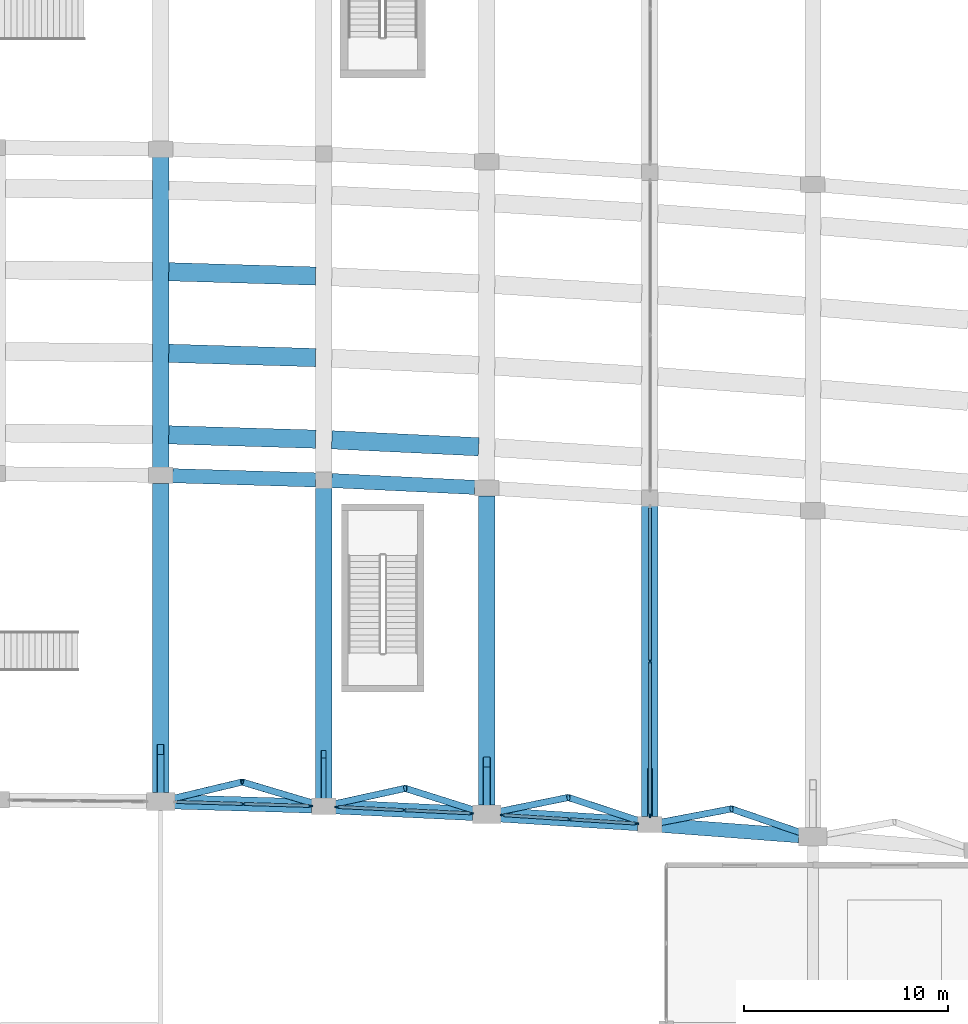
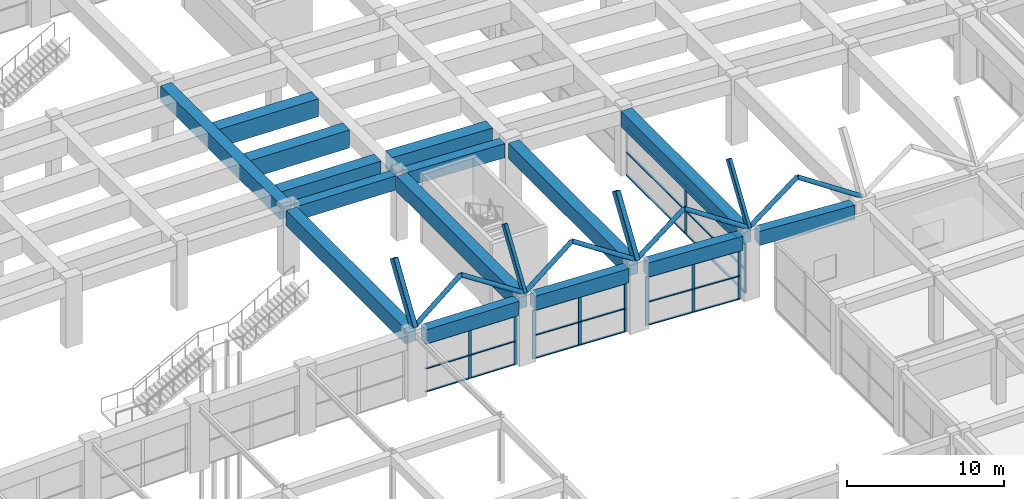
# One storey, part 27 of 69: 42 members, 19 beams, 4 elements without a shape of their own.
"""IFC4 building model written with IfcOpenShell, lengths in metres."""

from ifc_helpers import new_model, si_unit, direction, frame, origin, origin_2d, place, context, subcontext, project, spatial, rectangle, hollow_rectangle, hollow_circle, extrude, material, material_profile, profile_set, type_object, element, aggregate, save


model = new_model("IFC4")

# Units and contexts
model_context = context("Model", 3, precision=1e-05, world=origin(), true_north=direction((0.0, 1.0)))
body_context = subcontext(model_context, "Body", "Model", "MODEL_VIEW")
ifc_project = project(units=[si_unit("LENGTHUNIT", "METRE"), si_unit("AREAUNIT", "SQUARE_METRE"), si_unit("VOLUMEUNIT", "CUBIC_METRE"), si_unit("PLANEANGLEUNIT", "RADIAN"), si_unit("MASSUNIT", "GRAM", prefix="KILO")], contexts=[model_context])

# Site, building, storey
site_placement = place(None, origin())
site = spatial("IfcSite", under=ifc_project, at=site_placement, CompositionType="ELEMENT")
building_placement = place(site_placement, origin())
building = spatial("IfcBuilding", under=site, at=building_placement, Name="Kenh Van Central Station", CompositionType="ELEMENT")
storey_placement = place(building_placement, frame((0.0, 0.0, 5.39990234375)))
storey = spatial("IfcBuildingStorey", under=building, at=storey_placement, Name="L01", CompositionType="ELEMENT", Elevation=5.39990234375)

# Beams
ifc_material_1 = material(Name="Concrete C40/50", Category="concrete")
ifc_material_profile_1 = material_profile(ifc_material_1, rectangle(XDim=0.699951171875, YDim=1.10009765625, at=origin_2d()), Name="RC 700x1100")
ifc_profile_set_1 = profile_set([ifc_material_profile_1], Name="Concrete C40/50")
beam_type_1 = type_object("IfcBeamType", Name="BM-RC-700x1100", PredefinedType="BEAM", material=ifc_profile_set_1)
beam_1_placement = place(storey_placement, frame((96.689697265625, 67.099365234375, 4.530029296875), z_axis=(0.999563065499, -0.029558046112, 0.0), x_axis=(0.029558046112, 0.999563065499, 0.0)))
element("IfcBeam", 1, at=beam_1_placement, inside=storey, type_object=beam_type_1, Name="L01 viaduct girder 1389", PredefinedType="BEAM", context=body_context, shape_type="SweptSolid", body=[
    extrude(rectangle(XDim=0.699951171875, YDim=1.10009765625, at=origin_2d()), origin(), (0.0, 0.0, 1.0), 6.723388671875),
])
beam_2_placement = place(storey_placement, frame((104.58935546875, 66.85498046875, 4.530029296875), z_axis=(0.998866413286, -0.047601348815, 0.0), x_axis=(0.047601348815, 0.998866413286, 0.0)))
element("IfcBeam", 2, at=beam_2_placement, inside=storey, type_object=beam_type_1, Name="L01 viaduct girder 1390", PredefinedType="BEAM", context=body_context, shape_type="SweptSolid", body=[
    extrude(rectangle(XDim=0.699951171875, YDim=1.10009765625, at=origin_2d()), origin(), (0.0, 0.0, 1.0), 6.72900390625),
])
beam_3_placement = place(storey_placement, frame((112.688720703125, 66.458251953125, 4.530029296875), z_axis=(0.99800019098, -0.06321090732, 0.0), x_axis=(0.06321090732, 0.99800019098, 0.0)))
element("IfcBeam", 3, at=beam_3_placement, inside=storey, type_object=beam_type_1, Name="L01 viaduct girder 1391", PredefinedType="BEAM", context=body_context, shape_type="SweptSolid", body=[
    extrude(rectangle(XDim=0.699951171875, YDim=1.10009765625, at=origin_2d()), origin(), (0.0, 0.0, 1.0), 6.73583984375),
])
beam_4_placement = place(storey_placement, frame((120.58837890625, 65.95068359375, 4.530029296875), z_axis=(0.997135493389, -0.075636021993, 0.0), x_axis=(0.075636021993, 0.997135493389, 0.0)))
element("IfcBeam", 4, at=beam_4_placement, inside=storey, type_object=beam_type_1, Name="L01 viaduct girder 1392", PredefinedType="BEAM", context=body_context, shape_type="SweptSolid", body=[
    extrude(rectangle(XDim=0.699951171875, YDim=1.10009765625, at=origin_2d()), origin(), (0.0, 0.0, 1.0), 6.742919921875),
])
beam_5_placement = place(storey_placement, frame((96.58984375, 83.102294921875, 4.530029296875), z_axis=(0.999562359797, -0.029581901172, 0.0), x_axis=(0.029581901172, 0.999562359797, 0.0)))
element("IfcBeam", 5, at=beam_5_placement, inside=storey, type_object=beam_type_1, Name="L01 viaduct girder 1402", PredefinedType="BEAM", context=body_context, shape_type="SweptSolid", body=[
    extrude(rectangle(XDim=0.699951171875, YDim=1.10009765625, at=origin_2d()), origin(), (0.0, 0.0, 1.0), 7.0234375),
])
beam_6_placement = place(storey_placement, frame((104.3896484375, 82.864501953125, 4.530029296875), z_axis=(0.998867194536, -0.04758495224, 0.0), x_axis=(0.04758495224, 0.998867194536, 0.0)))
element("IfcBeam", 6, at=beam_6_placement, inside=storey, type_object=beam_type_1, Name="L01 viaduct girder 1403", PredefinedType="BEAM", context=body_context, shape_type="SweptSolid", body=[
    extrude(rectangle(XDim=0.699951171875, YDim=1.10009765625, at=origin_2d()), origin(), (0.0, 0.0, 1.0), 7.029052734375),
])
ifc_material_profile_2 = material_profile(ifc_material_1, rectangle(XDim=0.800048828125, YDim=1.199951171875, at=origin_2d()), Name="RC 800x1200")
ifc_profile_set_2 = profile_set([ifc_material_profile_2], Name="Concrete C40/50")
beam_type_2 = type_object("IfcBeamType", Name="BM-TRK-800x1200", PredefinedType="BEAM", material=ifc_profile_set_2)
beam_7_placement = place(storey_placement, frame((96.0, 67.559814453125, 4.47998046875), z_axis=(0.0, 1.0, 0.0), x_axis=(-1.0, 0.0, 0.0)))
element("IfcBeam", 7, at=beam_7_placement, inside=storey, type_object=beam_type_2, Name="L01 viaduct cross-girder 1454", PredefinedType="BEAM", context=body_context, shape_type="SweptSolid", body=[
    extrude(rectangle(XDim=0.800048828125, YDim=1.199951171875, at=origin_2d()), origin(), (0.0, 0.0, 1.0), 15.169921875),
])
for number, where, z_axis, x_axis, name in (
    (8, (96.0, 83.509765625, 4.47998046875), (0.0, 1.0, 0.0), (-1.0, 0.0, 0.0), "L01 viaduct cross-girder 1455"),
    (9, (104.0, 67.273193359375, 4.47998046875), (0.0, 1.0, 0.0), (-1.0, 0.0, 0.0), "L01 viaduct cross-girder 1457"),
):
    element("IfcBeam", number, at=place(storey_placement, frame(where, z_axis=z_axis, x_axis=x_axis)), inside=storey, type_object=beam_type_2, Name=name, PredefinedType="BEAM", context=body_context, shape_type="SweptSolid", body=[
        extrude(rectangle(XDim=0.800048828125, YDim=1.199951171875, at=origin_2d()), origin(), (0.0, 0.0, 1.0), 15.219970703125),
    ])
beam_8_placement = place(storey_placement, frame((112.0, 66.94189453125, 4.47998046875), z_axis=(0.0, 1.0, 0.0), x_axis=(-1.0, 0.0, 0.0)))
element("IfcBeam", 10, at=beam_8_placement, inside=storey, type_object=beam_type_2, Name="L01 viaduct cross-girder 1460", PredefinedType="BEAM", context=body_context, shape_type="SweptSolid", body=[
    extrude(rectangle(XDim=0.800048828125, YDim=1.199951171875, at=origin_2d()), origin(), (0.0, 0.0, 1.0), 15.169921875),
])
beam_9_placement = place(storey_placement, frame((120.0, 66.38525390625, 4.47998046875), z_axis=(0.0, 1.0, 0.0), x_axis=(-1.0, 0.0, 0.0)))
element("IfcBeam", 11, at=beam_9_placement, inside=storey, type_object=beam_type_2, Name="L01 viaduct cross-girder 1463", PredefinedType="BEAM", context=body_context, shape_type="SweptSolid", body=[
    extrude(rectangle(XDim=0.800048828125, YDim=1.199951171875, at=origin_2d()), origin(), (0.0, 0.0, 1.0), 15.219970703125),
])
ifc_material_profile_3 = material_profile(ifc_material_1, rectangle(XDim=0.89990234375, YDim=1.39990234375, at=origin_2d()), Name="RC 900x1400")
ifc_profile_set_3 = profile_set([ifc_material_profile_3], Name="Concrete C40/50")
beam_type_3 = type_object("IfcBeamType", Name="BM-TRK-900x1400", PredefinedType="BEAM", material=ifc_profile_set_3)
beam_10_placement = place(storey_placement, frame((96.39990234375, 85.10791015625, 4.380126953125), z_axis=(0.999563172588, -0.029554424471, 0.0), x_axis=(0.029554424471, 0.999563172588, 0.0)))
element("IfcBeam", 12, at=beam_10_placement, inside=storey, type_object=beam_type_3, Name="Track 1 trough girder 1483", PredefinedType="BEAM", context=body_context, shape_type="SweptSolid", body=[
    extrude(rectangle(XDim=0.89990234375, YDim=1.39990234375, at=origin_2d()), origin(), (0.0, 0.0, 1.0), 7.203369140625),
])
beam_11_placement = place(storey_placement, frame((104.399658203125, 84.864013671875, 4.380126953125), z_axis=(0.998867294729, -0.047582849023, 0.0), x_axis=(0.047582849023, 0.998867294729, 0.0)))
element("IfcBeam", 13, at=beam_11_placement, inside=storey, type_object=beam_type_3, Name="Track 1 trough girder 1484", PredefinedType="BEAM", context=body_context, shape_type="SweptSolid", body=[
    extrude(rectangle(XDim=0.89990234375, YDim=1.39990234375, at=origin_2d()), origin(), (0.0, 0.0, 1.0), 7.208740234375),
])
for number, where, z_axis, x_axis, name in (
    (14, (96.39990234375, 89.10791015625, 4.380126953125), (0.999563172588, -0.029554424471, 0.0), (0.029554424471, 0.999563172588, 0.0), "Track 2 trough girder 1497"),
    (15, (96.39990234375, 93.10791015625, 4.380126953125), (0.999563172588, -0.029554424471, 0.0), (0.029554424471, 0.999563172588, 0.0), "Track 3 trough girder 1511"),
):
    element("IfcBeam", number, at=place(storey_placement, frame(where, z_axis=z_axis, x_axis=x_axis)), inside=storey, type_object=beam_type_3, Name=name, PredefinedType="BEAM", context=body_context, shape_type="SweptSolid", body=[
        extrude(rectangle(XDim=0.89990234375, YDim=1.39990234375, at=origin_2d()), origin(), (0.0, 0.0, 1.0), 7.203369140625),
    ])
ifc_material_2 = material(Name="White fluoropolymer structural steel S355", Category="steel")
ifc_material_profile_4 = material_profile(ifc_material_2, hollow_rectangle(XDim=0.35009765625, YDim=0.60009765625, WallThickness=0.01611328125, InnerFilletRadius=0.01611328125, OuterFilletRadius=0.031982421875, at=origin_2d()), Name="RHS 600x350x16")
ifc_profile_set_4 = profile_set([ifc_material_profile_4], Name="White fluoropolymer structural steel S355")
beam_type_4 = type_object("IfcBeamType", Name="BM-VAULT-ARCH600", PredefinedType="BEAM", material=ifc_profile_set_4)
for number, where, z_axis, x_axis, name in (
    (16, (96.0, 67.119873046875, 5.280029296875), (0.0, 0.5493771127, 0.835574525725), (-1.0, 0.0, 0.0), "Vault transverse arch 094"),
    (17, (112.0, 66.501953125, 5.280029296875), (0.0, 0.5493771127, 0.835574525725), (-1.0, 0.0, 0.0), "Vault transverse arch 118"),
):
    element("IfcBeam", number, at=place(storey_placement, frame(where, z_axis=z_axis, x_axis=x_axis)), inside=storey, type_object=beam_type_4, Name=name, PredefinedType="BEAM", context=body_context, shape_type="SweptSolid", body=[
        extrude(hollow_rectangle(XDim=0.35009765625, YDim=0.60009765625, WallThickness=0.01611328125, InnerFilletRadius=0.01611328125, OuterFilletRadius=0.031982421875, at=origin_2d()), origin(), (0.0, 0.0, 1.0), 4.645751953125),
    ])
ifc_material_profile_5 = material_profile(ifc_material_2, hollow_rectangle(XDim=0.25, YDim=0.449951171875, WallThickness=0.012451171875, InnerFilletRadius=0.012451171875, OuterFilletRadius=0.02490234375, at=origin_2d()), Name="RHS 450x250x12.5")
ifc_profile_set_5 = profile_set([ifc_material_profile_5], Name="White fluoropolymer structural steel S355")
beam_type_5 = type_object("IfcBeamType", Name="BM-VAULT-SUB450", PredefinedType="BEAM", material=ifc_profile_set_5)
for number, where, z_axis, x_axis, name in (
    (18, (104.0, 66.883056640625, 5.280029296875), (0.0, 0.549413802018, 0.835550401922), (-1.0, 0.0, 0.0), "Vault transverse arch 106"),
    (19, (120.0, 65.9951171875, 5.280029296875), (0.0, 0.549413802018, 0.835550401922), (-1.0, 0.0, 0.0), "Vault transverse arch 130"),
):
    element("IfcBeam", number, at=place(storey_placement, frame(where, z_axis=z_axis, x_axis=x_axis)), inside=storey, type_object=beam_type_5, Name=name, PredefinedType="BEAM", context=body_context, shape_type="SweptSolid", body=[
        extrude(hollow_rectangle(XDim=0.25, YDim=0.449951171875, WallThickness=0.012451171875, InnerFilletRadius=0.012451171875, OuterFilletRadius=0.02490234375, at=origin_2d()), origin(), (0.0, 0.0, 1.0), 4.645751953125),
    ])

# Curtain wall, members
ifc_material_3 = material(Name="Champagne anodised aluminium", Category="aluminium")
curtain_wall_type_1 = type_object("IfcCurtainWallType", Name="CW-HALL-B", PredefinedType="NOTDEFINED", material=ifc_material_3)
curtain_wall_1_placement = place(storey_placement, origin())
curtain_wall_1 = element("IfcCurtainWall", 20, at=curtain_wall_1_placement, inside=storey, type_object=curtain_wall_type_1, Name="L01 curtain wall 100", PredefinedType="NOTDEFINED")
ifc_material_profile_6 = material_profile(ifc_material_3, rectangle(XDim=0.08203125, YDim=0.22509765625, at=origin_2d()), Name="AL 82x225")
ifc_profile_set_6 = profile_set([ifc_material_profile_6], Name="Champagne anodised aluminium")
member_type_1 = type_object("IfcMemberType", Name="CWM-70x180", PredefinedType="MULLION", material=ifc_profile_set_6)
member_1_placement = place(storey_placement, frame((120.0, 66.436279296875, 0.0), z_axis=(0.0, 0.0, 1.0), x_axis=(-1.0, 0.0, 0.0)))
member_1 = element("IfcMember", 21, at=member_1_placement, type_object=member_type_1, Name="CW-02 mullion 1", PredefinedType="MULLION", context=body_context, shape_type="SweptSolid", body=[
    extrude(rectangle(XDim=0.08203125, YDim=0.22509765625, at=origin_2d()), origin(), (0.0, 0.0, 1.0), 3.800048828125),
])
member_2_placement = place(storey_placement, frame((120.0, 73.9951171875, 0.0), z_axis=(0.0, 0.0, 1.0), x_axis=(-1.0, 0.0, 0.0)))
member_2 = element("IfcMember", 22, at=member_2_placement, type_object=member_type_1, Name="CW-02 mullion 2", PredefinedType="MULLION", context=body_context, shape_type="SweptSolid", body=[
    extrude(rectangle(XDim=0.08203125, YDim=0.22509765625, at=origin_2d()), origin(), (0.0, 0.0, 1.0), 3.800048828125),
])

curtain_wall_type_2 = type_object("IfcCurtainWallType", Name="CW-HALL-A", PredefinedType="NOTDEFINED", material=ifc_material_3)
curtain_wall_2_placement = place(storey_placement, origin())
curtain_wall_2 = element("IfcCurtainWall", 23, at=curtain_wall_2_placement, inside=storey, type_object=curtain_wall_type_2, Name="L01 curtain wall 091", PredefinedType="NOTDEFINED")
ifc_material_profile_7 = material_profile(ifc_material_3, rectangle(XDim=0.080078125, YDim=0.219970703125, at=origin_2d()), Name="AL 80x220")
ifc_profile_set_7 = profile_set([ifc_material_profile_7], Name="Champagne anodised aluminium")
member_type_2 = type_object("IfcMemberType", Name="CWM-80x220", PredefinedType="MULLION", material=ifc_profile_set_7)
member_3_placement = place(storey_placement, frame((100.05078125, 67.0, 0.0), z_axis=(0.0, 0.0, 1.0), x_axis=(0.029570645876, 0.999562692832, 0.0)))
member_3 = element("IfcMember", 24, at=member_3_placement, type_object=member_type_2, Name="CW-01 mullion 2", PredefinedType="MULLION", context=body_context, shape_type="SweptSolid", body=[
    extrude(rectangle(XDim=0.080078125, YDim=0.219970703125, at=origin_2d()), origin(), (0.0, 0.0, 1.0), 3.800048828125),
])
member_4_placement = place(storey_placement, frame((103.3486328125, 66.90234375, 0.0), z_axis=(0.0, 0.0, 1.0), x_axis=(0.029570645876, 0.999562692832, 0.0)))
member_4 = element("IfcMember", 25, at=member_4_placement, type_object=member_type_2, Name="CW-01 mullion 3", PredefinedType="MULLION", context=body_context, shape_type="SweptSolid", body=[
    extrude(rectangle(XDim=0.080078125, YDim=0.219970703125, at=origin_2d()), origin(), (0.0, 0.0, 1.0), 3.800048828125),
])

curtain_wall_3_placement = place(storey_placement, origin())
curtain_wall_3 = element("IfcCurtainWall", 26, at=curtain_wall_3_placement, inside=storey, type_object=curtain_wall_type_2, Name="L01 curtain wall 093", PredefinedType="NOTDEFINED")
member_5_placement = place(storey_placement, frame((104.65771484375, 66.851806640625, 0.0), z_axis=(0.0, 0.0, 1.0), x_axis=(0.047600764745, 0.99886644112, 0.0)))
member_5 = element("IfcMember", 27, at=member_5_placement, type_object=member_type_2, Name="CW-01 mullion 1", PredefinedType="MULLION", context=body_context, shape_type="SweptSolid", body=[
    extrude(rectangle(XDim=0.080078125, YDim=0.219970703125, at=origin_2d()), origin(), (0.0, 0.0, 1.0), 3.800048828125),
])
member_6_placement = place(storey_placement, frame((107.948974609375, 66.695068359375, 0.0), z_axis=(0.0, 0.0, 1.0), x_axis=(0.047600764745, 0.99886644112, 0.0)))
member_6 = element("IfcMember", 28, at=member_6_placement, type_object=member_type_2, Name="CW-01 mullion 2", PredefinedType="MULLION", context=body_context, shape_type="SweptSolid", body=[
    extrude(rectangle(XDim=0.080078125, YDim=0.219970703125, at=origin_2d()), origin(), (0.0, 0.0, 1.0), 3.800048828125),
])
member_7_placement = place(storey_placement, frame((111.240234375, 66.5380859375, 0.0), z_axis=(0.0, 0.0, 1.0), x_axis=(0.047600764745, 0.99886644112, 0.0)))
member_7 = element("IfcMember", 29, at=member_7_placement, type_object=member_type_2, Name="CW-01 mullion 3", PredefinedType="MULLION", context=body_context, shape_type="SweptSolid", body=[
    extrude(rectangle(XDim=0.080078125, YDim=0.219970703125, at=origin_2d()), origin(), (0.0, 0.0, 1.0), 3.800048828125),
])

curtain_wall_4_placement = place(storey_placement, origin())
curtain_wall_4 = element("IfcCurtainWall", 30, at=curtain_wall_4_placement, inside=storey, type_object=curtain_wall_type_2, Name="L01 curtain wall 095", PredefinedType="NOTDEFINED")
member_8_placement = place(storey_placement, frame((112.765625, 66.453369140625, 0.0), z_axis=(0.0, 0.0, 1.0), x_axis=(0.063211477724, 0.998000154852, 0.0)))
member_8 = element("IfcMember", 31, at=member_8_placement, type_object=member_type_2, Name="CW-01 mullion 1", PredefinedType="MULLION", context=body_context, shape_type="SweptSolid", body=[
    extrude(rectangle(XDim=0.080078125, YDim=0.219970703125, at=origin_2d()), origin(), (0.0, 0.0, 1.0), 3.800048828125),
])
member_9_placement = place(storey_placement, frame((116.051513671875, 66.245361328125, 0.0), z_axis=(0.0, 0.0, 1.0), x_axis=(0.063211477724, 0.998000154852, 0.0)))
member_9 = element("IfcMember", 32, at=member_9_placement, type_object=member_type_2, Name="CW-01 mullion 2", PredefinedType="MULLION", context=body_context, shape_type="SweptSolid", body=[
    extrude(rectangle(XDim=0.080078125, YDim=0.219970703125, at=origin_2d()), origin(), (0.0, 0.0, 1.0), 3.800048828125),
])
member_10_placement = place(storey_placement, frame((119.337158203125, 66.037109375, 0.0), z_axis=(0.0, 0.0, 1.0), x_axis=(0.063211477724, 0.998000154852, 0.0)))
member_10 = element("IfcMember", 33, at=member_10_placement, type_object=member_type_2, Name="CW-01 mullion 3", PredefinedType="MULLION", context=body_context, shape_type="SweptSolid", body=[
    extrude(rectangle(XDim=0.080078125, YDim=0.219970703125, at=origin_2d()), origin(), (0.0, 0.0, 1.0), 3.800048828125),
])

# Member
ifc_material_profile_8 = material_profile(ifc_material_3, rectangle(XDim=0.14990234375, YDim=0.070068359375, at=origin_2d()), Name="AL 150x70")
ifc_profile_set_8 = profile_set([ifc_material_profile_8], Name="Champagne anodised aluminium")
member_type_3 = type_object("IfcMemberType", Name="CWT-150x70", PredefinedType="USERDEFINED", material=ifc_profile_set_8)
member_11_placement = place(storey_placement, frame((96.792724609375, 67.096435546875, 0.03515625), z_axis=(0.999562561041, -0.029575100433, 0.0), x_axis=(0.029575100433, 0.999562561041, 0.0)))
member_11 = element("IfcMember", 34, at=member_11_placement, type_object=member_type_3, Name="CW-01 transom 1.1", ObjectType="TRANSOM", PredefinedType="USERDEFINED", context=body_context, shape_type="SweptSolid", body=[
    extrude(rectangle(XDim=0.14990234375, YDim=0.070068359375, at=origin_2d()), origin(), (0.0, 0.0, 1.0), 3.219482421875),
])

member_12_placement = place(storey_placement, frame((96.792724609375, 67.096435546875, 1.82421875), z_axis=(0.999562561041, -0.029575100433, 0.0), x_axis=(0.029575100433, 0.999562561041, 0.0)))
member_12 = element("IfcMember", 35, at=member_12_placement, type_object=member_type_3, Name="CW-01 transom 1.2", ObjectType="TRANSOM", PredefinedType="USERDEFINED", context=body_context, shape_type="SweptSolid", body=[
    extrude(rectangle(XDim=0.14990234375, YDim=0.070068359375, at=origin_2d()), origin(), (0.0, 0.0, 1.0), 3.219482421875),
])

member_13_placement = place(storey_placement, frame((96.792724609375, 67.096435546875, 3.76513671875), z_axis=(0.999562561041, -0.029575100433, 0.0), x_axis=(0.029575100433, 0.999562561041, 0.0)))
member_13 = element("IfcMember", 36, at=member_13_placement, type_object=member_type_3, Name="CW-01 transom 1.3", ObjectType="TRANSOM", PredefinedType="USERDEFINED", context=body_context, shape_type="SweptSolid", body=[
    extrude(rectangle(XDim=0.14990234375, YDim=0.070068359375, at=origin_2d()), origin(), (0.0, 0.0, 1.0), 3.219482421875),
])

member_14_placement = place(storey_placement, frame((100.090576171875, 66.998779296875, 0.03515625), z_axis=(0.999562627364, -0.029572858798, 0.0), x_axis=(0.029572858798, 0.999562627364, 0.0)))
member_14 = element("IfcMember", 37, at=member_14_placement, type_object=member_type_3, Name="CW-01 transom 2.1", ObjectType="TRANSOM", PredefinedType="USERDEFINED", context=body_context, shape_type="SweptSolid", body=[
    extrude(rectangle(XDim=0.14990234375, YDim=0.070068359375, at=origin_2d()), origin(), (0.0, 0.0, 1.0), 3.2197265625),
])

member_15_placement = place(storey_placement, frame((100.090576171875, 66.998779296875, 1.82421875), z_axis=(0.999562627364, -0.029572858798, 0.0), x_axis=(0.029572858798, 0.999562627364, 0.0)))
member_15 = element("IfcMember", 38, at=member_15_placement, type_object=member_type_3, Name="CW-01 transom 2.2", ObjectType="TRANSOM", PredefinedType="USERDEFINED", context=body_context, shape_type="SweptSolid", body=[
    extrude(rectangle(XDim=0.14990234375, YDim=0.070068359375, at=origin_2d()), origin(), (0.0, 0.0, 1.0), 3.2197265625),
])

member_16_placement = place(storey_placement, frame((100.090576171875, 66.998779296875, 3.76513671875), z_axis=(0.999562627364, -0.029572858798, 0.0), x_axis=(0.029572858798, 0.999562627364, 0.0)))
member_16 = element("IfcMember", 39, at=member_16_placement, type_object=member_type_3, Name="CW-01 transom 2.3", ObjectType="TRANSOM", PredefinedType="USERDEFINED", context=body_context, shape_type="SweptSolid", body=[
    extrude(rectangle(XDim=0.14990234375, YDim=0.070068359375, at=origin_2d()), origin(), (0.0, 0.0, 1.0), 3.2197265625),
])

aggregate(curtain_wall_2, [member_3, member_4, member_11, member_12, member_13, member_14, member_15, member_16])

member_17_placement = place(storey_placement, frame((104.697509765625, 66.849853515625, 0.03515625), z_axis=(0.998865903203, -0.047612051187, 0.0), x_axis=(0.047612051187, 0.998865903203, 0.0)))
member_17 = element("IfcMember", 40, at=member_17_placement, type_object=member_type_3, Name="CW-01 transom 1.1", ObjectType="TRANSOM", PredefinedType="USERDEFINED", context=body_context, shape_type="SweptSolid", body=[
    extrude(rectangle(XDim=0.14990234375, YDim=0.070068359375, at=origin_2d()), origin(), (0.0, 0.0, 1.0), 3.215087890625),
])

member_18_placement = place(storey_placement, frame((104.697509765625, 66.849853515625, 1.82421875), z_axis=(0.998865903203, -0.047612051187, 0.0), x_axis=(0.047612051187, 0.998865903203, 0.0)))
member_18 = element("IfcMember", 41, at=member_18_placement, type_object=member_type_3, Name="CW-01 transom 1.2", ObjectType="TRANSOM", PredefinedType="USERDEFINED", context=body_context, shape_type="SweptSolid", body=[
    extrude(rectangle(XDim=0.14990234375, YDim=0.070068359375, at=origin_2d()), origin(), (0.0, 0.0, 1.0), 3.215087890625),
])

member_19_placement = place(storey_placement, frame((104.697509765625, 66.849853515625, 3.76513671875), z_axis=(0.998865903203, -0.047612051187, 0.0), x_axis=(0.047612051187, 0.998865903203, 0.0)))
member_19 = element("IfcMember", 42, at=member_19_placement, type_object=member_type_3, Name="CW-01 transom 1.3", ObjectType="TRANSOM", PredefinedType="USERDEFINED", context=body_context, shape_type="SweptSolid", body=[
    extrude(rectangle(XDim=0.14990234375, YDim=0.070068359375, at=origin_2d()), origin(), (0.0, 0.0, 1.0), 3.215087890625),
])

member_20_placement = place(storey_placement, frame((107.989013671875, 66.693115234375, 0.03515625), z_axis=(0.998865731043, -0.047615662842, 0.0), x_axis=(0.047615662842, 0.998865731043, 0.0)))
member_20 = element("IfcMember", 43, at=member_20_placement, type_object=member_type_3, Name="CW-01 transom 2.1", ObjectType="TRANSOM", PredefinedType="USERDEFINED", context=body_context, shape_type="SweptSolid", body=[
    extrude(rectangle(XDim=0.14990234375, YDim=0.070068359375, at=origin_2d()), origin(), (0.0, 0.0, 1.0), 3.21484375),
])

member_21_placement = place(storey_placement, frame((107.989013671875, 66.693115234375, 1.82421875), z_axis=(0.998865731043, -0.047615662842, 0.0), x_axis=(0.047615662842, 0.998865731043, 0.0)))
member_21 = element("IfcMember", 44, at=member_21_placement, type_object=member_type_3, Name="CW-01 transom 2.2", ObjectType="TRANSOM", PredefinedType="USERDEFINED", context=body_context, shape_type="SweptSolid", body=[
    extrude(rectangle(XDim=0.14990234375, YDim=0.070068359375, at=origin_2d()), origin(), (0.0, 0.0, 1.0), 3.21484375),
])

member_22_placement = place(storey_placement, frame((107.989013671875, 66.693115234375, 3.76513671875), z_axis=(0.998865731043, -0.047615662842, 0.0), x_axis=(0.047615662842, 0.998865731043, 0.0)))
member_22 = element("IfcMember", 45, at=member_22_placement, type_object=member_type_3, Name="CW-01 transom 2.3", ObjectType="TRANSOM", PredefinedType="USERDEFINED", context=body_context, shape_type="SweptSolid", body=[
    extrude(rectangle(XDim=0.14990234375, YDim=0.070068359375, at=origin_2d()), origin(), (0.0, 0.0, 1.0), 3.21484375),
])

aggregate(curtain_wall_3, [member_5, member_6, member_7, member_17, member_18, member_19, member_20, member_21, member_22])

member_23_placement = place(storey_placement, frame((112.805419921875, 66.450927734375, 0.03515625), z_axis=(0.997998987314, -0.063229908426, 0.0), x_axis=(0.063229908426, 0.997998987314, 0.0)))
member_23 = element("IfcMember", 46, at=member_23_placement, type_object=member_type_3, Name="CW-01 transom 1.1", ObjectType="TRANSOM", PredefinedType="USERDEFINED", context=body_context, shape_type="SweptSolid", body=[
    extrude(rectangle(XDim=0.14990234375, YDim=0.070068359375, at=origin_2d()), origin(), (0.0, 0.0, 1.0), 3.21240234375),
])

member_24_placement = place(storey_placement, frame((112.805419921875, 66.450927734375, 1.82421875), z_axis=(0.997998987314, -0.063229908426, 0.0), x_axis=(0.063229908426, 0.997998987314, 0.0)))
member_24 = element("IfcMember", 47, at=member_24_placement, type_object=member_type_3, Name="CW-01 transom 1.2", ObjectType="TRANSOM", PredefinedType="USERDEFINED", context=body_context, shape_type="SweptSolid", body=[
    extrude(rectangle(XDim=0.14990234375, YDim=0.070068359375, at=origin_2d()), origin(), (0.0, 0.0, 1.0), 3.21240234375),
])

member_25_placement = place(storey_placement, frame((112.805419921875, 66.450927734375, 3.76513671875), z_axis=(0.997998987314, -0.063229908426, 0.0), x_axis=(0.063229908426, 0.997998987314, 0.0)))
member_25 = element("IfcMember", 48, at=member_25_placement, type_object=member_type_3, Name="CW-01 transom 1.3", ObjectType="TRANSOM", PredefinedType="USERDEFINED", context=body_context, shape_type="SweptSolid", body=[
    extrude(rectangle(XDim=0.14990234375, YDim=0.070068359375, at=origin_2d()), origin(), (0.0, 0.0, 1.0), 3.21240234375),
])

member_26_placement = place(storey_placement, frame((116.09130859375, 66.24267578125, 0.03515625), z_axis=(0.997998987314, -0.063229908426, 0.0), x_axis=(0.063229908426, 0.997998987314, 0.0)))
member_26 = element("IfcMember", 49, at=member_26_placement, type_object=member_type_3, Name="CW-01 transom 2.1", ObjectType="TRANSOM", PredefinedType="USERDEFINED", context=body_context, shape_type="SweptSolid", body=[
    extrude(rectangle(XDim=0.14990234375, YDim=0.070068359375, at=origin_2d()), origin(), (0.0, 0.0, 1.0), 3.21240234375),
])

member_27_placement = place(storey_placement, frame((116.09130859375, 66.24267578125, 1.82421875), z_axis=(0.997998987314, -0.063229908426, 0.0), x_axis=(0.063229908426, 0.997998987314, 0.0)))
member_27 = element("IfcMember", 50, at=member_27_placement, type_object=member_type_3, Name="CW-01 transom 2.2", ObjectType="TRANSOM", PredefinedType="USERDEFINED", context=body_context, shape_type="SweptSolid", body=[
    extrude(rectangle(XDim=0.14990234375, YDim=0.070068359375, at=origin_2d()), origin(), (0.0, 0.0, 1.0), 3.21240234375),
])

member_28_placement = place(storey_placement, frame((116.09130859375, 66.24267578125, 3.76513671875), z_axis=(0.997998987314, -0.063229908426, 0.0), x_axis=(0.063229908426, 0.997998987314, 0.0)))
member_28 = element("IfcMember", 51, at=member_28_placement, type_object=member_type_3, Name="CW-01 transom 2.3", ObjectType="TRANSOM", PredefinedType="USERDEFINED", context=body_context, shape_type="SweptSolid", body=[
    extrude(rectangle(XDim=0.14990234375, YDim=0.070068359375, at=origin_2d()), origin(), (0.0, 0.0, 1.0), 3.21240234375),
])

aggregate(curtain_wall_4, [member_8, member_9, member_10, member_23, member_24, member_25, member_26, member_27, member_28])

member_29_placement = place(storey_placement, frame((120.0, 66.477294921875, 0.03515625), z_axis=(0.0, 1.0, 0.0), x_axis=(-1.0, 0.0, 0.0)))
member_29 = element("IfcMember", 52, at=member_29_placement, type_object=member_type_3, Name="CW-02 transom 1.1", ObjectType="TRANSOM", PredefinedType="USERDEFINED", context=body_context, shape_type="SweptSolid", body=[
    extrude(rectangle(XDim=0.14990234375, YDim=0.070068359375, at=origin_2d()), origin(), (0.0, 0.0, 1.0), 7.476806640625),
])

member_30_placement = place(storey_placement, frame((120.0, 66.477294921875, 1.82421875), z_axis=(0.0, 1.0, 0.0), x_axis=(-1.0, 0.0, 0.0)))
member_30 = element("IfcMember", 53, at=member_30_placement, type_object=member_type_3, Name="CW-02 transom 1.2", ObjectType="TRANSOM", PredefinedType="USERDEFINED", context=body_context, shape_type="SweptSolid", body=[
    extrude(rectangle(XDim=0.14990234375, YDim=0.070068359375, at=origin_2d()), origin(), (0.0, 0.0, 1.0), 7.476806640625),
])

member_31_placement = place(storey_placement, frame((120.0, 66.477294921875, 3.76513671875), z_axis=(0.0, 1.0, 0.0), x_axis=(-1.0, 0.0, 0.0)))
member_31 = element("IfcMember", 54, at=member_31_placement, type_object=member_type_3, Name="CW-02 transom 1.3", ObjectType="TRANSOM", PredefinedType="USERDEFINED", context=body_context, shape_type="SweptSolid", body=[
    extrude(rectangle(XDim=0.14990234375, YDim=0.070068359375, at=origin_2d()), origin(), (0.0, 0.0, 1.0), 7.476806640625),
])

member_32_placement = place(storey_placement, frame((120.0, 74.0361328125, 0.03515625), z_axis=(0.0, 1.0, 0.0), x_axis=(-1.0, 0.0, 0.0)))
member_32 = element("IfcMember", 55, at=member_32_placement, type_object=member_type_3, Name="CW-02 transom 2.1", ObjectType="TRANSOM", PredefinedType="USERDEFINED", context=body_context, shape_type="SweptSolid", body=[
    extrude(rectangle(XDim=0.14990234375, YDim=0.070068359375, at=origin_2d()), origin(), (0.0, 0.0, 1.0), 7.47705078125),
])

member_33_placement = place(storey_placement, frame((120.0, 74.0361328125, 1.82421875), z_axis=(0.0, 1.0, 0.0), x_axis=(-1.0, 0.0, 0.0)))
member_33 = element("IfcMember", 56, at=member_33_placement, type_object=member_type_3, Name="CW-02 transom 2.2", ObjectType="TRANSOM", PredefinedType="USERDEFINED", context=body_context, shape_type="SweptSolid", body=[
    extrude(rectangle(XDim=0.14990234375, YDim=0.070068359375, at=origin_2d()), origin(), (0.0, 0.0, 1.0), 7.47705078125),
])

member_34_placement = place(storey_placement, frame((120.0, 74.0361328125, 3.76513671875), z_axis=(0.0, 1.0, 0.0), x_axis=(-1.0, 0.0, 0.0)))
member_34 = element("IfcMember", 57, at=member_34_placement, type_object=member_type_3, Name="CW-02 transom 2.3", ObjectType="TRANSOM", PredefinedType="USERDEFINED", context=body_context, shape_type="SweptSolid", body=[
    extrude(rectangle(XDim=0.14990234375, YDim=0.070068359375, at=origin_2d()), origin(), (0.0, 0.0, 1.0), 7.47705078125),
])

aggregate(curtain_wall_1, [member_1, member_2, member_29, member_30, member_31, member_32, member_33, member_34])

# Members
ifc_material_profile_9 = material_profile(ifc_material_2, hollow_circle(Radius=0.161865234375, WallThickness=0.010009765625, at=origin_2d()), Name="CHS 323.9x10")
ifc_profile_set_9 = profile_set([ifc_material_profile_9], Name="White fluoropolymer structural steel S355")
member_type_4 = type_object("IfcMemberType", Name="MEM-VAULT-CHD324", PredefinedType="CHORD", material=ifc_profile_set_9)
member_35_placement = place(storey_placement, frame((96.0, 67.119873046875, 5.340087890625), z_axis=(0.867183593655, 0.207268734909, 0.452804909895), x_axis=(-0.232465790383, 0.972604573453, 0.0)))
element("IfcMember", 58, at=member_35_placement, inside=storey, type_object=member_type_4, Name="Vault diamond grid member 0369", PredefinedType="CHORD", context=body_context, shape_type="SweptSolid", body=[
    extrude(hollow_circle(Radius=0.161865234375, WallThickness=0.010009765625, at=origin_2d()), origin(), (0.0, 0.0, 1.0), 4.612548828125),
])
member_36_placement = place(storey_placement, frame((100.0, 68.075927734375, 7.4287109375), z_axis=(0.856995105769, -0.255571172289, -0.447484932242), x_axis=(0.285780621337, 0.958295067538, 0.0)))
element("IfcMember", 59, at=member_36_placement, inside=storey, type_object=member_type_4, Name="Vault diamond grid member 0394", PredefinedType="CHORD", context=body_context, shape_type="SweptSolid", body=[
    extrude(hollow_circle(Radius=0.161865234375, WallThickness=0.010009765625, at=origin_2d()), origin(), (0.0, 0.0, 1.0), 4.66748046875),
])
member_37_placement = place(storey_placement, frame((104.0, 66.883056640625, 5.340087890625), z_axis=(0.869967989534, 0.191845358044, 0.454258798246), x_axis=(-0.215346131222, 0.976537784096, 0.0)))
element("IfcMember", 60, at=member_37_placement, inside=storey, type_object=member_type_4, Name="Vault diamond grid member 0417", PredefinedType="CHORD", context=body_context, shape_type="SweptSolid", body=[
    extrude(hollow_circle(Radius=0.161865234375, WallThickness=0.010009765625, at=origin_2d()), origin(), (0.0, 0.0, 1.0), 4.597900390625),
])
member_38_placement = place(storey_placement, frame((108.0, 67.76513671875, 7.4287109375), z_axis=(0.853618479667, -0.269569214709, -0.445721807468), x_axis=(0.3011369389, 0.953580905865, 0.0)))
element("IfcMember", 61, at=member_38_placement, inside=storey, type_object=member_type_4, Name="Vault diamond grid member 0442", PredefinedType="CHORD", context=body_context, shape_type="SweptSolid", body=[
    extrude(hollow_circle(Radius=0.161865234375, WallThickness=0.010009765625, at=origin_2d()), origin(), (0.0, 0.0, 1.0), 4.68603515625),
])
member_39_placement = place(storey_placement, frame((112.0, 66.501953125, 5.340087890625), z_axis=(0.872272279055, 0.178032135081, 0.455461996296), x_axis=(-0.19997875845, 0.979800232787, 0.0)))
element("IfcMember", 62, at=member_39_placement, inside=storey, type_object=member_type_4, Name="Vault diamond grid member 0465", PredefinedType="CHORD", context=body_context, shape_type="SweptSolid", body=[
    extrude(hollow_circle(Radius=0.161865234375, WallThickness=0.010009765625, at=origin_2d()), origin(), (0.0, 0.0, 1.0), 4.585693359375),
])
member_40_placement = place(storey_placement, frame((116.0, 67.318359375, 7.4287109375), z_axis=(0.850615033717, -0.281392424484, -0.44415354086), x_axis=(0.314071330946, 0.949399388602, 0.0)))
element("IfcMember", 63, at=member_40_placement, inside=storey, type_object=member_type_4, Name="Vault diamond grid member 0490", PredefinedType="CHORD", context=body_context, shape_type="SweptSolid", body=[
    extrude(hollow_circle(Radius=0.161865234375, WallThickness=0.010009765625, at=origin_2d()), origin(), (0.0, 0.0, 1.0), 4.702392578125),
])
member_41_placement = place(storey_placement, frame((120.0, 65.9951171875, 5.340087890625), z_axis=(0.874028899638, 0.166707782676, 0.456379225855), x_axis=(-0.187357298238, 0.982291831788, 0.0)))
element("IfcMember", 64, at=member_41_placement, inside=storey, type_object=member_type_4, Name="Vault diamond grid member 0513", PredefinedType="CHORD", context=body_context, shape_type="SweptSolid", body=[
    extrude(hollow_circle(Radius=0.161865234375, WallThickness=0.010009765625, at=origin_2d()), origin(), (0.0, 0.0, 1.0), 4.576416015625),
])
member_42_placement = place(storey_placement, frame((124.0, 66.758056640625, 7.4287109375), z_axis=(0.848222691965, -0.290437579463, -0.44290436583), x_axis=(0.323943415903, 0.946076457425, 0.0)))
element("IfcMember", 65, at=member_42_placement, inside=storey, type_object=member_type_4, Name="Vault diamond grid member 0538", PredefinedType="CHORD", context=body_context, shape_type="SweptSolid", body=[
    extrude(hollow_circle(Radius=0.161865234375, WallThickness=0.010009765625, at=origin_2d()), origin(), (0.0, 0.0, 1.0), 4.7158203125),
])

save(model, "model.ifc")
